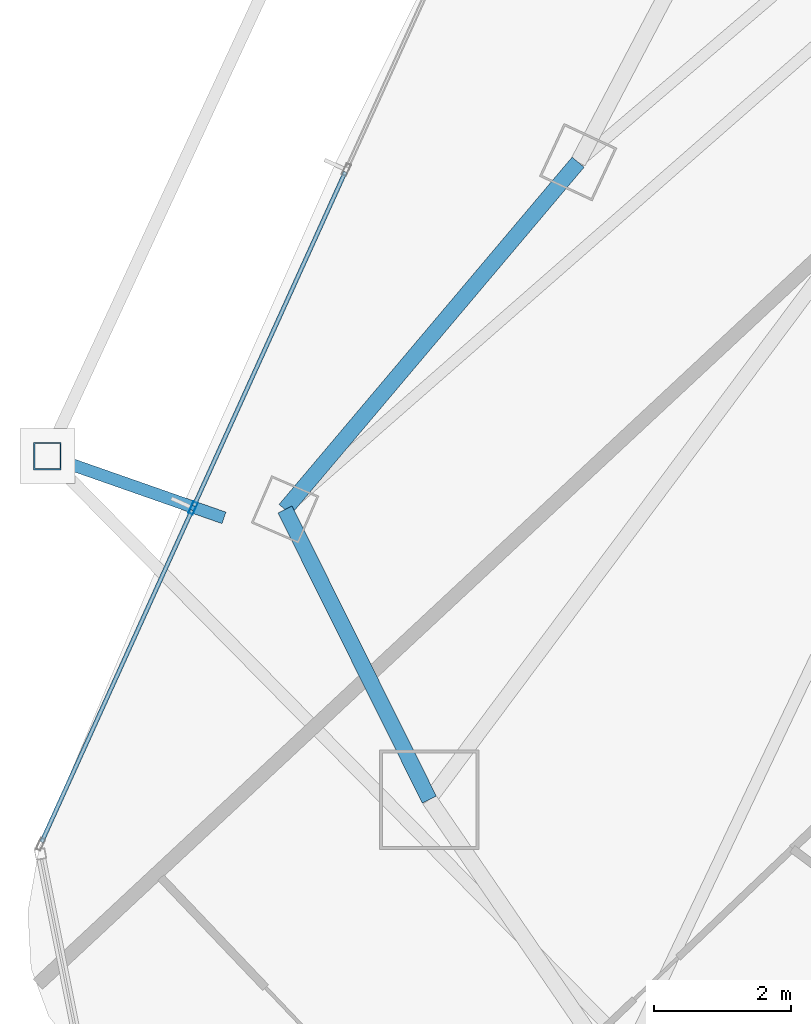
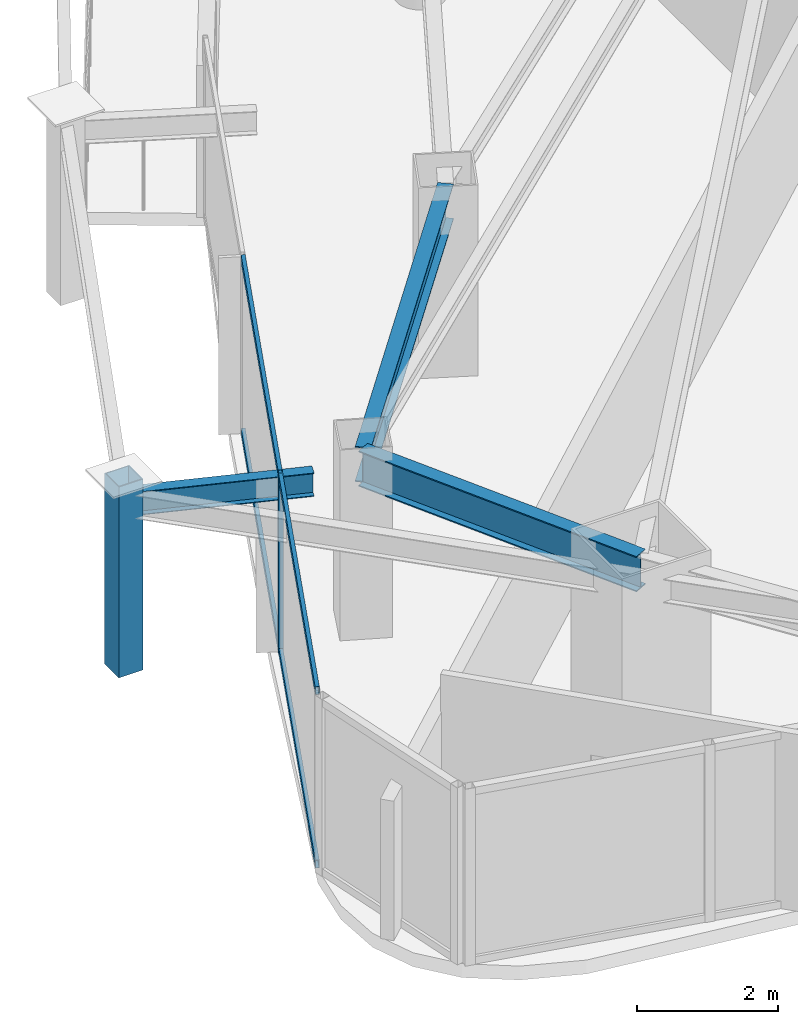
# One storey, part 5 of 29: 6 members, 3 beams, 1 element without a shape of its own.
"""IFC4 building model written with IfcOpenShell, lengths in metres."""

from ifc_helpers import new_model, si_unit, direction, frame, origin, origin_2d, place, context, subcontext, project, spatial, hollow_rectangle, i_section, extrude, material, layer, layer_set, material_profile, profile_set, type_object, element, aggregate, save


model = new_model("IFC4")

# Units and contexts
model_context = context("Model", 3, precision=1e-05, world=origin(), true_north=direction((0.0, 1.0)))
body_context = subcontext(model_context, "Body", "Model", "MODEL_VIEW")
ifc_project = project(units=[si_unit("LENGTHUNIT", "METRE"), si_unit("AREAUNIT", "SQUARE_METRE"), si_unit("VOLUMEUNIT", "CUBIC_METRE"), si_unit("PLANEANGLEUNIT", "RADIAN"), si_unit("MASSUNIT", "GRAM", prefix="KILO")], contexts=[model_context])

# Site, building, storey
site_placement = place(None, origin())
site = spatial("IfcSite", under=ifc_project, at=site_placement, CompositionType="ELEMENT")
building_placement = place(site_placement, origin())
building = spatial("IfcBuilding", under=site, at=building_placement, Name="Orvanel Arch Residences", CompositionType="ELEMENT")
storey_placement = place(building_placement, frame((0.0, 0.0, 177.050048828125)))
storey = spatial("IfcBuildingStorey", under=building, at=storey_placement, Name="L50", CompositionType="ELEMENT", Elevation=177.050048828125)

# Curtain wall, member
ifc_material_1 = material(Name="Bronze-anodised aluminium AA6063-T6", Category="aluminium")
ifc_layer = layer(ifc_material_1, 0.179931640625)
ifc_layer_set = layer_set([ifc_layer], Name="Bronze-anodised aluminium AA6063-T6")
curtain_wall_type = type_object("IfcCurtainWallType", Name="CW3-MID-SYS", PredefinedType="NOTDEFINED", material=ifc_layer_set)
curtain_wall_placement = place(storey_placement, origin())
curtain_wall = element("IfcCurtainWall", 1, at=curtain_wall_placement, inside=storey, type_object=curtain_wall_type, Name="L50 CW3-MID-SYS Unitised Curtain Wall", PredefinedType="NOTDEFINED")
ifc_material_profile_1 = material_profile(ifc_material_1, hollow_rectangle(XDim=0.070068359375, YDim=0.179931640625, WallThickness=0.00439453125, at=origin_2d()), Name="ALU180x70x4.5")
ifc_profile_set_1 = profile_set([ifc_material_profile_1], Name="Bronze-anodised aluminium AA6063-T6")
member_type_1 = type_object("IfcMemberType", Name="MUL-180x70", PredefinedType="MULLION", material=ifc_profile_set_1)
member_1_placement = place(storey_placement, frame((10.75341796875, 14.60107421875, 0.0), z_axis=(0.0, 0.0, 1.0), x_axis=(0.910855054441, -0.412726386119, 0.0)))
member_1 = element("IfcMember", 2, at=member_1_placement, type_object=member_type_1, Name="CW-S3 mullion 3", PredefinedType="MULLION", context=body_context, shape_type="SweptSolid", body=[
    extrude(hollow_rectangle(XDim=0.070068359375, YDim=0.179931640625, WallThickness=0.00439453125, at=origin_2d()), origin(), (0.0, 0.0, 1.0), 3.06005859375),
])

# Beams
ifc_material_2 = material(Name="Structural steel AS/NZS 3679.1 Grade 300 (300 MPa)", Category="steel")
ifc_material_profile_2 = material_profile(ifc_material_2, i_section(OverallWidth=0.177978515625, OverallDepth=0.406005859375, WebThickness=0.0078125, FlangeThickness=0.0126953125, at=origin_2d()), Name="410UB59.7")
ifc_profile_set_2 = profile_set([ifc_material_profile_2], Name="Structural steel AS/NZS 3679.1 Grade 300 (300 MPa)")
beam_type_1 = type_object("IfcBeamType", Name="OB-410UB-EXT", PredefinedType="SPANDREL", material=ifc_profile_set_2)
beam_1_placement = place(storey_placement, frame((11.205078125, 14.4580078125, 2.85693359375), z_axis=(-0.94382065333, 0.33045812798, 0.0), x_axis=(-0.33045812798, -0.94382065333, 0.0)))
element("IfcBeam", 3, at=beam_1_placement, inside=storey, type_object=beam_type_1, Name="L50 Outer Frame Radial Tie Beam 04", PredefinedType="SPANDREL", context=body_context, shape_type="SweptSolid", body=[
    extrude(i_section(OverallWidth=0.177978515625, OverallDepth=0.406005859375, WebThickness=0.0078125, FlangeThickness=0.0126953125, at=origin_2d()), origin(), (0.0, 0.0, 1.0), 2.72607421875),
])
ifc_material_profile_3 = material_profile(ifc_material_2, i_section(OverallWidth=0.22900390625, OverallDepth=0.612060546875, WebThickness=0.011962890625, FlangeThickness=0.01953125, at=origin_2d()), Name="610UB125")
ifc_profile_set_3 = profile_set([ifc_material_profile_3], Name="Structural steel AS/NZS 3679.1 Grade 300 (300 MPa)")
beam_type_2 = type_object("IfcBeamType", Name="SP-610UB", PredefinedType="SPANDREL", material=ifc_profile_set_3)
beam_2_placement = place(storey_placement, frame((16.366943359375, 19.64208984375, 2.75390625), z_axis=(-0.644950329775, -0.764224490659, 0.0), x_axis=(0.764224490659, -0.644950329775, 0.0)))
element("IfcBeam", 4, at=beam_2_placement, inside=storey, type_object=beam_type_2, Name="L50 Perimeter Spandrel Beam 01", PredefinedType="SPANDREL", context=body_context, shape_type="SweptSolid", body=[
    extrude(i_section(OverallWidth=0.22900390625, OverallDepth=0.612060546875, WebThickness=0.011962890625, FlangeThickness=0.01953125, at=origin_2d()), origin(), (0.0, 0.0, 1.0), 6.623779296875),
])
beam_3_placement = place(storey_placement, frame((12.094970703125, 14.580078125, 2.75390625), z_axis=(0.44543469453, -0.895314432425, 0.0), x_axis=(0.895314432425, 0.44543469453, 0.0)))
element("IfcBeam", 5, at=beam_3_placement, inside=storey, type_object=beam_type_2, Name="L50 Perimeter Spandrel Beam 02", PredefinedType="SPANDREL", context=body_context, shape_type="SweptSolid", body=[
    extrude(i_section(OverallWidth=0.22900390625, OverallDepth=0.612060546875, WebThickness=0.011962890625, FlangeThickness=0.01953125, at=origin_2d()), origin(), (0.0, 0.0, 1.0), 4.723388671875),
])

# Member
ifc_material_3 = material(Name="Structural steel AS/NZS 1163 C450L0 (Grade 450)", Category="steel")
ifc_material_profile_4 = material_profile(ifc_material_3, hollow_rectangle(XDim=0.39990234375, YDim=0.39990234375, WallThickness=0.01611328125, at=origin_2d()), Name="SHS400x400x16")
ifc_profile_set_4 = profile_set([ifc_material_profile_4], Name="Structural steel AS/NZS 1163 C450L0 (Grade 450)")
member_type_2 = type_object("IfcMemberType", Name="ST-400SHS-EXT", PredefinedType="STRUT", material=ifc_profile_set_4)
member_2_placement = place(storey_placement, frame((8.632080078125, 15.35888671875, 0.0), z_axis=(0.0, 0.0, 1.0), x_axis=(1.0, 0.0, 0.0)))
element("IfcMember", 6, at=member_2_placement, inside=storey, type_object=member_type_2, Name="L50 Outer Perimeter Frame Post 04", PredefinedType="STRUT", context=body_context, shape_type="SweptSolid", body=[
    extrude(hollow_rectangle(XDim=0.39990234375, YDim=0.39990234375, WallThickness=0.01611328125, at=origin_2d()), origin(), (0.0, 0.0, 1.0), 3.300048828125),
])

ifc_material_profile_5 = material_profile(ifc_material_1, hollow_rectangle(XDim=0.06005859375, YDim=0.135009765625, WallThickness=0.00390625, at=origin_2d()), Name="ALU135x60x4")
ifc_profile_set_5 = profile_set([ifc_material_profile_5], Name="Bronze-anodised aluminium AA6063-T6")
member_type_3 = type_object("IfcMemberType", Name="TRN-135x60", PredefinedType="USERDEFINED", material=ifc_profile_set_5)
member_3_placement = place(storey_placement, frame((12.97314453125, 19.5, 0.030029296875), z_axis=(-0.412711423874, -0.910861833981, 0.0), x_axis=(0.910861833981, -0.412711423874, 0.0)))
member_3 = element("IfcMember", 7, at=member_3_placement, type_object=member_type_3, Name="CW-S3 transom 2.1", ObjectType="TRANSOM", PredefinedType="USERDEFINED", context=body_context, shape_type="SweptSolid", body=[
    extrude(hollow_rectangle(XDim=0.06005859375, YDim=0.135009765625, WallThickness=0.00390625, at=origin_2d()), origin(), (0.0, 0.0, 1.0), 5.343505859375),
])

member_4_placement = place(storey_placement, frame((12.97314453125, 19.5, 3.030029296875), z_axis=(-0.412711423874, -0.910861833981, 0.0), x_axis=(0.910861833981, -0.412711423874, 0.0)))
member_4 = element("IfcMember", 8, at=member_4_placement, type_object=member_type_3, Name="CW-S3 transom 2.2", ObjectType="TRANSOM", PredefinedType="USERDEFINED", context=body_context, shape_type="SweptSolid", body=[
    extrude(hollow_rectangle(XDim=0.06005859375, YDim=0.135009765625, WallThickness=0.00390625, at=origin_2d()), origin(), (0.0, 0.0, 1.0), 5.343505859375),
])

member_5_placement = place(storey_placement, frame((10.73876953125, 14.569091796875, 0.030029296875), z_axis=(-0.412707722352, -0.910863511132, 0.0), x_axis=(0.910863511132, -0.412707722352, 0.0)))
member_5 = element("IfcMember", 9, at=member_5_placement, type_object=member_type_3, Name="CW-S3 transom 3.1", ObjectType="TRANSOM", PredefinedType="USERDEFINED", context=body_context, shape_type="SweptSolid", body=[
    extrude(hollow_rectangle(XDim=0.06005859375, YDim=0.135009765625, WallThickness=0.00390625, at=origin_2d()), origin(), (0.0, 0.0, 1.0), 5.30859375),
])

member_6_placement = place(storey_placement, frame((10.73876953125, 14.569091796875, 3.030029296875), z_axis=(-0.412707722352, -0.910863511132, 0.0), x_axis=(0.910863511132, -0.412707722352, 0.0)))
member_6 = element("IfcMember", 10, at=member_6_placement, type_object=member_type_3, Name="CW-S3 transom 3.2", ObjectType="TRANSOM", PredefinedType="USERDEFINED", context=body_context, shape_type="SweptSolid", body=[
    extrude(hollow_rectangle(XDim=0.06005859375, YDim=0.135009765625, WallThickness=0.00390625, at=origin_2d()), origin(), (0.0, 0.0, 1.0), 5.30859375),
])

aggregate(curtain_wall, [member_1, member_3, member_4, member_5, member_6])

save(model, "model.ifc")
